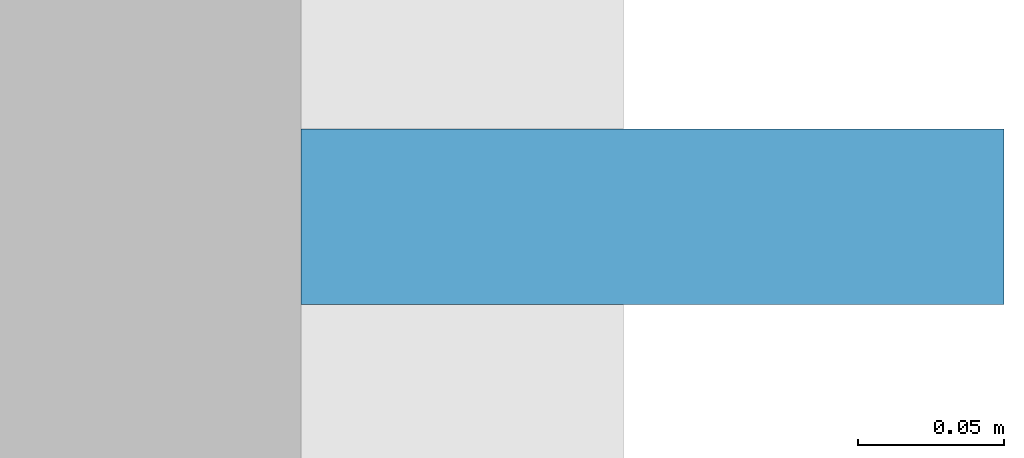
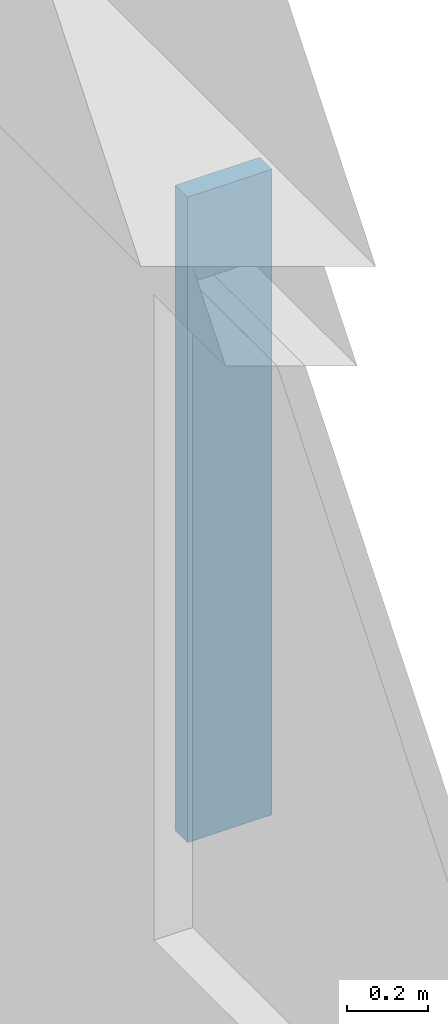
# One storey, part 8 of 13: 1 plate.
"""IFC4 building model written with IfcOpenShell, lengths in metres."""

from ifc_helpers import new_model, si_unit, direction, frame, origin, origin_2d, place, context, subcontext, project, spatial, rectangle, extrude, material, type_object, element, save


model = new_model("IFC4")

# Units and contexts
model_context = context("Model", 3, precision=1e-05, world=origin(), true_north=direction((0.0, 1.0)))
body_context = subcontext(model_context, "Body", "Model", "MODEL_VIEW")
ifc_project = project(units=[si_unit("LENGTHUNIT", "METRE"), si_unit("AREAUNIT", "SQUARE_METRE"), si_unit("VOLUMEUNIT", "CUBIC_METRE"), si_unit("PLANEANGLEUNIT", "RADIAN"), si_unit("MASSUNIT", "GRAM", prefix="KILO")], contexts=[model_context])

# Site, building, storey
site_placement = place(None, origin())
site = spatial("IfcSite", under=ifc_project, at=site_placement, CompositionType="ELEMENT")
building_placement = place(site_placement, origin())
building = spatial("IfcBuilding", under=site, at=building_placement, Name="Nhamokura Convention Tower", CompositionType="ELEMENT")
storey_placement = place(building_placement, frame((0.0, 0.0, 300.64990234375)))
storey = spatial("IfcBuildingStorey", under=building, at=storey_placement, Name="L74", CompositionType="ELEMENT", Elevation=300.64990234375)

# Plate
ifc_material = material(Name="Anodised bronze aluminium AA6063-T6", Category="aluminium")
plate_type = type_object("IfcPlateType", Name="BronzeSolarFin_3", PredefinedType="USERDEFINED", material=ifc_material)
plate_placement = place(storey_placement, frame((54.760009765625, 30.85009765625, 0.85009765625), z_axis=(0.0, 0.0, 1.0), x_axis=(1.0, 0.0, 0.0)))
element("IfcPlate", 1, at=plate_placement, inside=storey, type_object=plate_type, Name="L74 Bronze Solar Shading Fin EAST 2", ObjectType="SOLAR_FIN", PredefinedType="USERDEFINED", context=body_context, shape_type="SweptSolid", body=[
    extrude(rectangle(XDim=0.239990234375, YDim=0.06005859375, at=origin_2d()), origin(), (0.0, 0.0, 1.0), 1.93505859375),
])

save(model, "model.ifc")
